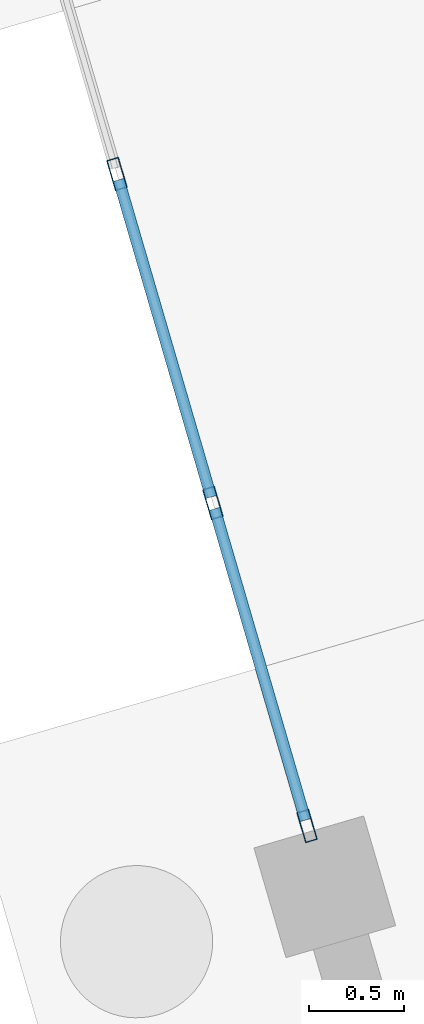
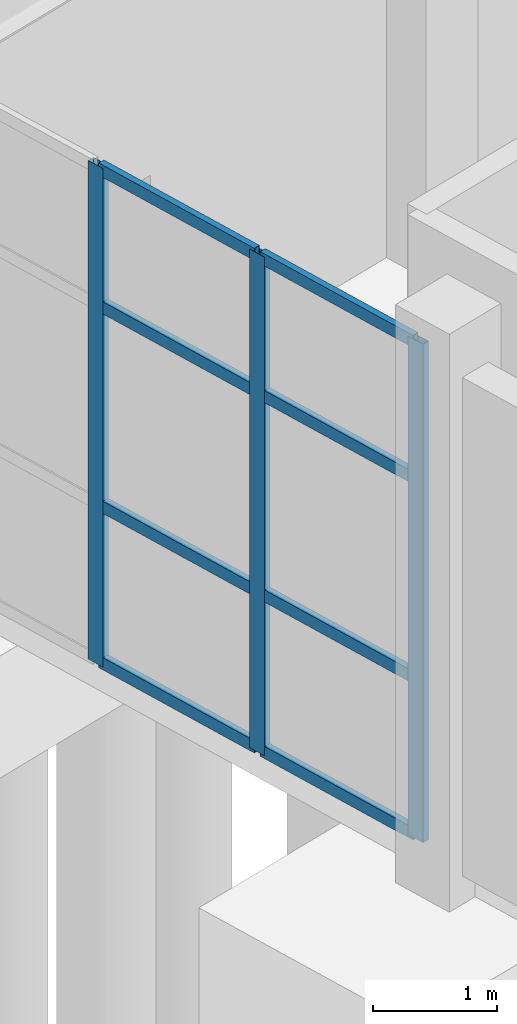
# One storey, part 48 of 90: 11 members, 1 element without a shape of its own.
"""IFC4 building model written with IfcOpenShell, lengths in metres."""

from ifc_helpers import new_model, si_unit, direction, frame, origin, origin_2d, place, context, subcontext, project, spatial, hollow_rectangle, extrude, material, layer, layer_set, material_profile, profile_set, type_object, element, aggregate, save


model = new_model("IFC4")

# Units and contexts
model_context = context("Model", 3, precision=1e-05, world=origin(), true_north=direction((0.0, 1.0)))
body_context = subcontext(model_context, "Body", "Model", "MODEL_VIEW")
ifc_project = project(units=[si_unit("LENGTHUNIT", "METRE"), si_unit("AREAUNIT", "SQUARE_METRE"), si_unit("VOLUMEUNIT", "CUBIC_METRE"), si_unit("PLANEANGLEUNIT", "RADIAN"), si_unit("MASSUNIT", "GRAM", prefix="KILO")], contexts=[model_context])

# Site, building, storey
site_placement = place(None, origin())
site = spatial("IfcSite", under=ifc_project, at=site_placement, CompositionType="ELEMENT")
building_placement = place(site_placement, origin())
building = spatial("IfcBuilding", under=site, at=building_placement, Name="Canggui Botanical Conservatory", CompositionType="ELEMENT")
storey_placement = place(building_placement, origin())
storey = spatial("IfcBuildingStorey", under=building, at=storey_placement, Name="L01", CompositionType="ELEMENT", Elevation=0.0)

# Curtain wall, members
ifc_material = material(Name="Thermally Broken Aluminium", Category="aluminium")
ifc_layer = layer(ifc_material, 0.1650390625, Name="Thermally Broken Aluminium", Category="aluminium")
ifc_layer_set = layer_set([ifc_layer], Name="Thermally Broken Aluminium")
curtain_wall_type = type_object("IfcCurtainWallType", Name="CW-UNIT-B", PredefinedType="USERDEFINED", material=ifc_layer_set)
curtain_wall_placement = place(storey_placement, origin())
curtain_wall = element("IfcCurtainWall", 1, at=curtain_wall_placement, inside=storey, type_object=curtain_wall_type, Name="Facade Curtain Wall CW-AUD-FOYER-2", ObjectType="UNITISED CURTAIN WALL", PredefinedType="USERDEFINED")
ifc_material_profile_1 = material_profile(ifc_material, hollow_rectangle(XDim=0.06494140625, YDim=0.1650390625, WallThickness=0.00390625, at=origin_2d()), Name="CWM 65x165x4")
ifc_profile_set_1 = profile_set([ifc_material_profile_1], Name="Thermally Broken Aluminium")
member_type_1 = type_object("IfcMemberType", Name="CWM-02", PredefinedType="MULLION", material=ifc_profile_set_1)
member_1_placement = place(storey_placement, frame((62.546875, 101.839111328125, 0.0), z_axis=(0.0, 0.0, 1.0), x_axis=(-0.960000000002, -0.279999999995, 0.0)))
member_1 = element("IfcMember", 2, at=member_1_placement, type_object=member_type_1, Name="CW-02 mullion 1", PredefinedType="MULLION", context=body_context, shape_type="SweptSolid", body=[
    extrude(hollow_rectangle(XDim=0.06494140625, YDim=0.1650390625, WallThickness=0.00390625, at=origin_2d()), origin(), (0.0, 0.0, 1.0), 4.89990234375),
])
member_2_placement = place(storey_placement, frame((62.052001953125, 103.535888671875, 0.0), z_axis=(0.0, 0.0, 1.0), x_axis=(-0.960000000002, -0.279999999995, 0.0)))
member_2 = element("IfcMember", 3, at=member_2_placement, type_object=member_type_1, Name="CW-02 mullion 2", PredefinedType="MULLION", context=body_context, shape_type="SweptSolid", body=[
    extrude(hollow_rectangle(XDim=0.06494140625, YDim=0.1650390625, WallThickness=0.00390625, at=origin_2d()), origin(), (0.0, 0.0, 1.0), 4.89990234375),
])
member_3_placement = place(storey_placement, frame((61.548095703125, 105.263916015625, 0.0), z_axis=(0.0, 0.0, 1.0), x_axis=(-0.960000000002, -0.279999999995, 0.0)))
member_3 = element("IfcMember", 4, at=member_3_placement, type_object=member_type_1, Name="CW-02 mullion 3", PredefinedType="MULLION", context=body_context, shape_type="SweptSolid", body=[
    extrude(hollow_rectangle(XDim=0.06494140625, YDim=0.1650390625, WallThickness=0.00390625, at=origin_2d()), origin(), (0.0, 0.0, 1.0), 4.89990234375),
])
ifc_material_profile_2 = material_profile(ifc_material, hollow_rectangle(XDim=0.06005859375, YDim=0.1201171875, WallThickness=0.00341796875, at=origin_2d()), Name="CWT 60x120x3.5")
ifc_profile_set_2 = profile_set([ifc_material_profile_2], Name="Thermally Broken Aluminium")
member_type_2 = type_object("IfcMemberType", Name="CWT-02", PredefinedType="USERDEFINED", material=ifc_profile_set_2)
member_4_placement = place(storey_placement, frame((62.537841796875, 101.870361328125, 0.030029296875), z_axis=(-0.280038542714, 0.959988757536, 0.0), x_axis=(-0.959988757536, -0.280038542714, 0.0)))
member_4 = element("IfcMember", 5, at=member_4_placement, type_object=member_type_2, Name="CW-02 transom 1.1", ObjectType="TRANSOM", PredefinedType="USERDEFINED", context=body_context, shape_type="SweptSolid", body=[
    extrude(hollow_rectangle(XDim=0.06005859375, YDim=0.1201171875, WallThickness=0.00341796875, at=origin_2d()), origin(), (0.0, 0.0, 1.0), 1.70263671875),
])
member_5_placement = place(storey_placement, frame((62.537841796875, 101.870361328125, 1.568115234375), z_axis=(-0.280038542714, 0.959988757536, 0.0), x_axis=(-0.959988757536, -0.280038542714, 0.0)))
member_5 = element("IfcMember", 6, at=member_5_placement, type_object=member_type_2, Name="CW-02 transom 1.2", ObjectType="TRANSOM", PredefinedType="USERDEFINED", context=body_context, shape_type="SweptSolid", body=[
    extrude(hollow_rectangle(XDim=0.06005859375, YDim=0.1201171875, WallThickness=0.00341796875, at=origin_2d()), origin(), (0.0, 0.0, 1.0), 1.70263671875),
])
member_6_placement = place(storey_placement, frame((62.537841796875, 101.870361328125, 3.528076171875), z_axis=(-0.280038542714, 0.959988757536, 0.0), x_axis=(-0.959988757536, -0.280038542714, 0.0)))
member_6 = element("IfcMember", 7, at=member_6_placement, type_object=member_type_2, Name="CW-02 transom 1.3", ObjectType="TRANSOM", PredefinedType="USERDEFINED", context=body_context, shape_type="SweptSolid", body=[
    extrude(hollow_rectangle(XDim=0.06005859375, YDim=0.1201171875, WallThickness=0.00341796875, at=origin_2d()), origin(), (0.0, 0.0, 1.0), 1.70263671875),
])
member_7_placement = place(storey_placement, frame((62.537841796875, 101.870361328125, 4.8701171875), z_axis=(-0.280038542714, 0.959988757536, 0.0), x_axis=(-0.959988757536, -0.280038542714, 0.0)))
member_7 = element("IfcMember", 8, at=member_7_placement, type_object=member_type_2, Name="CW-02 transom 1.4", ObjectType="TRANSOM", PredefinedType="USERDEFINED", context=body_context, shape_type="SweptSolid", body=[
    extrude(hollow_rectangle(XDim=0.06005859375, YDim=0.1201171875, WallThickness=0.00341796875, at=origin_2d()), origin(), (0.0, 0.0, 1.0), 1.70263671875),
])
member_8_placement = place(storey_placement, frame((62.04296875, 103.567138671875, 0.030029296875), z_axis=(-0.279994597085, 0.960001575834, 0.0), x_axis=(-0.960001575834, -0.279994597085, 0.0)))
member_8 = element("IfcMember", 9, at=member_8_placement, type_object=member_type_2, Name="CW-02 transom 2.1", ObjectType="TRANSOM", PredefinedType="USERDEFINED", context=body_context, shape_type="SweptSolid", body=[
    extrude(hollow_rectangle(XDim=0.06005859375, YDim=0.1201171875, WallThickness=0.00341796875, at=origin_2d()), origin(), (0.0, 0.0, 1.0), 1.735107421875),
])
member_9_placement = place(storey_placement, frame((62.04296875, 103.567138671875, 1.568115234375), z_axis=(-0.279994597085, 0.960001575834, 0.0), x_axis=(-0.960001575834, -0.279994597085, 0.0)))
member_9 = element("IfcMember", 10, at=member_9_placement, type_object=member_type_2, Name="CW-02 transom 2.2", ObjectType="TRANSOM", PredefinedType="USERDEFINED", context=body_context, shape_type="SweptSolid", body=[
    extrude(hollow_rectangle(XDim=0.06005859375, YDim=0.1201171875, WallThickness=0.00341796875, at=origin_2d()), origin(), (0.0, 0.0, 1.0), 1.735107421875),
])
member_10_placement = place(storey_placement, frame((62.04296875, 103.567138671875, 3.528076171875), z_axis=(-0.279994597085, 0.960001575834, 0.0), x_axis=(-0.960001575834, -0.279994597085, 0.0)))
member_10 = element("IfcMember", 11, at=member_10_placement, type_object=member_type_2, Name="CW-02 transom 2.3", ObjectType="TRANSOM", PredefinedType="USERDEFINED", context=body_context, shape_type="SweptSolid", body=[
    extrude(hollow_rectangle(XDim=0.06005859375, YDim=0.1201171875, WallThickness=0.00341796875, at=origin_2d()), origin(), (0.0, 0.0, 1.0), 1.735107421875),
])
member_11_placement = place(storey_placement, frame((62.04296875, 103.567138671875, 4.8701171875), z_axis=(-0.279994597085, 0.960001575834, 0.0), x_axis=(-0.960001575834, -0.279994597085, 0.0)))
member_11 = element("IfcMember", 12, at=member_11_placement, type_object=member_type_2, Name="CW-02 transom 2.4", ObjectType="TRANSOM", PredefinedType="USERDEFINED", context=body_context, shape_type="SweptSolid", body=[
    extrude(hollow_rectangle(XDim=0.06005859375, YDim=0.1201171875, WallThickness=0.00341796875, at=origin_2d()), origin(), (0.0, 0.0, 1.0), 1.735107421875),
])
aggregate(curtain_wall, [member_1, member_2, member_3, member_4, member_5, member_6, member_7, member_8, member_9, member_10, member_11])

save(model, "model.ifc")
